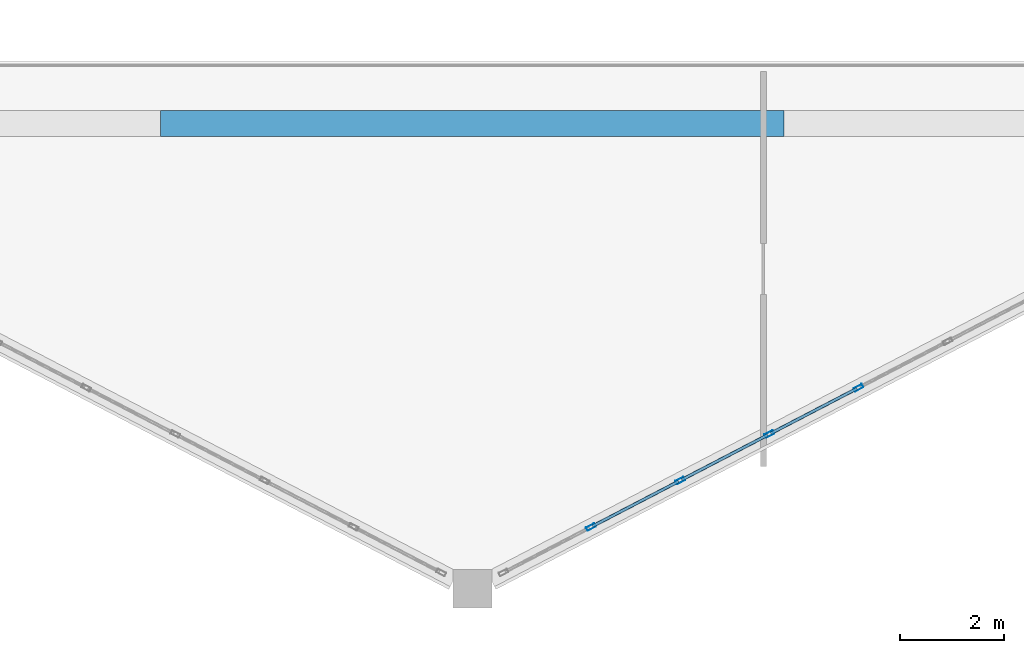
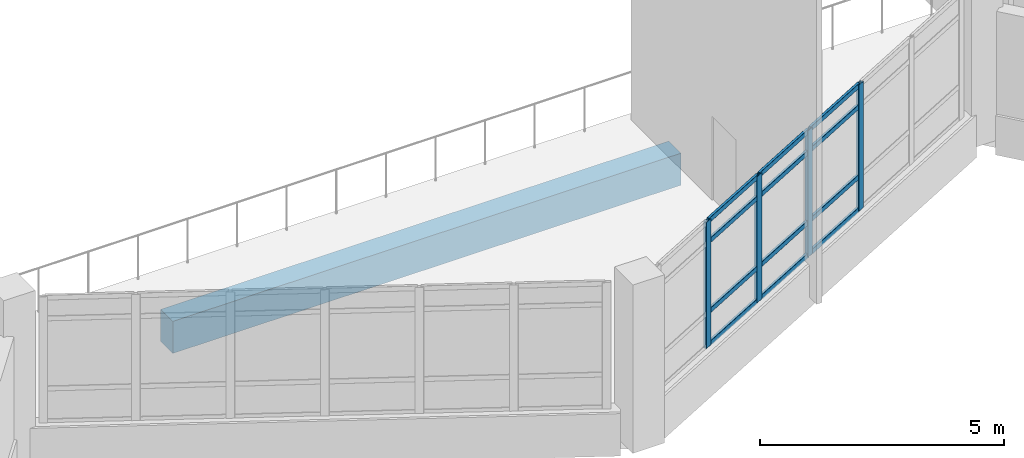
# One storey, part 15 of 128: 16 members, 1 beam, 1 element without a shape of its own.
"""IFC4 building model written with IfcOpenShell, lengths in metres."""

from ifc_helpers import new_model, si_unit, direction, frame, origin, origin_2d, place, context, subcontext, project, spatial, rectangle, hollow_rectangle, extrude, material, layer, layer_set, material_profile, profile_set, type_object, element, aggregate, save


model = new_model("IFC4")

# Units and contexts
model_context = context("Model", 3, precision=1e-05, world=origin(), true_north=direction((0.0, 1.0)))
body_context = subcontext(model_context, "Body", "Model", "MODEL_VIEW")
ifc_project = project(units=[si_unit("LENGTHUNIT", "METRE"), si_unit("AREAUNIT", "SQUARE_METRE"), si_unit("VOLUMEUNIT", "CUBIC_METRE"), si_unit("PLANEANGLEUNIT", "RADIAN"), si_unit("MASSUNIT", "GRAM", prefix="KILO")], contexts=[model_context])

# Site, building, storey
site_placement = place(None, origin())
site = spatial("IfcSite", under=ifc_project, at=site_placement, CompositionType="ELEMENT")
building_placement = place(site_placement, origin())
building = spatial("IfcBuilding", under=site, at=building_placement, Name="Vespera Passage Community Centre", CompositionType="ELEMENT")
storey_placement = place(building_placement, frame((0.0, 0.0, 4.5)))
storey = spatial("IfcBuildingStorey", under=building, at=storey_placement, Name="L01", CompositionType="ELEMENT", Elevation=4.5)

# Beam
ifc_material_1 = material(Name="Concrete f'c 35 MPa", Category="concrete")
ifc_material_profile_1 = material_profile(ifc_material_1, rectangle(XDim=0.5, YDim=0.800048828125, at=origin_2d()), Name="RC500X800")
ifc_profile_set_1 = profile_set([ifc_material_profile_1], Name="Concrete f'c 35 MPa")
beam_type = type_object("IfcBeamType", Name="BM-G-500X800", PredefinedType="BEAM", material=ifc_profile_set_1)
beam_placement = place(storey_placement, frame((12.0, 13.0, -0.639892578125), z_axis=(1.0, 0.0, 0.0), x_axis=(0.0, 1.0, 0.0)))
element("IfcBeam", 1, at=beam_placement, inside=storey, type_object=beam_type, Name="V1 L01 S Gallery Girder 2", PredefinedType="BEAM", context=body_context, shape_type="SweptSolid", body=[
    extrude(rectangle(XDim=0.5, YDim=0.800048828125, at=origin_2d()), origin(), (0.0, 0.0, 1.0), 12.0),
])

# Curtain wall, members
ifc_material_2 = material(Name="Anodized aluminium 6063-T6", Category="aluminium")
ifc_layer = layer(ifc_material_2, 0.159912109375)
ifc_layer_set = layer_set([ifc_layer], Name="Anodized aluminium 6063-T6")
curtain_wall_type = type_object("IfcCurtainWallType", Name="CW-85E", PredefinedType="NOTDEFINED", material=ifc_layer_set)
curtain_wall_placement = place(storey_placement, origin())
curtain_wall = element("IfcCurtainWall", 2, at=curtain_wall_placement, inside=storey, type_object=curtain_wall_type, Name="V1 L01 S Apse Ribbon Curtain Wall 2", PredefinedType="NOTDEFINED")
ifc_material_3 = material(Name="Anodized aluminium 6063-T6", Category="aluminium")
ifc_material_profile_2 = material_profile(ifc_material_3, hollow_rectangle(XDim=0.074951171875, YDim=0.179931640625, WallThickness=0.0048828125, InnerFilletRadius=0.00244140625, OuterFilletRadius=0.0048828125, at=origin_2d()), Name="ALU180X75X5")
ifc_profile_set_2 = profile_set([ifc_material_profile_2], Name="Anodized aluminium 6063-T6")
member_type_1 = type_object("IfcMemberType", Name="MB-CWM-180E", PredefinedType="MULLION", material=ifc_profile_set_2)
member_1_placement = place(storey_placement, frame((25.4296875, 7.91748046875, 0.800048828125), z_axis=(0.0, 0.0, 1.0), x_axis=(0.46174493668, -0.887012747062, 0.0)))
member_1 = element("IfcMember", 3, at=member_1_placement, type_object=member_type_1, Name="CW-85E mullion 3", PredefinedType="MULLION", context=body_context, shape_type="SweptSolid", body=[
    extrude(hollow_rectangle(XDim=0.074951171875, YDim=0.179931640625, WallThickness=0.0048828125, InnerFilletRadius=0.00244140625, OuterFilletRadius=0.0048828125, at=origin_2d()), origin(), (0.0, 0.0, 1.0), 3.14990234375),
])
member_2_placement = place(storey_placement, frame((23.713623046875, 7.0244140625, 0.800048828125), z_axis=(0.0, 0.0, 1.0), x_axis=(0.46174493668, -0.887012747062, 0.0)))
member_2 = element("IfcMember", 4, at=member_2_placement, type_object=member_type_1, Name="CW-85E mullion 4", PredefinedType="MULLION", context=body_context, shape_type="SweptSolid", body=[
    extrude(hollow_rectangle(XDim=0.074951171875, YDim=0.179931640625, WallThickness=0.0048828125, InnerFilletRadius=0.00244140625, OuterFilletRadius=0.0048828125, at=origin_2d()), origin(), (0.0, 0.0, 1.0), 3.14990234375),
])
member_3_placement = place(storey_placement, frame((21.99755859375, 6.131103515625, 0.800048828125), z_axis=(0.0, 0.0, 1.0), x_axis=(0.46174493668, -0.887012747062, 0.0)))
member_3 = element("IfcMember", 5, at=member_3_placement, type_object=member_type_1, Name="CW-85E mullion 5", PredefinedType="MULLION", context=body_context, shape_type="SweptSolid", body=[
    extrude(hollow_rectangle(XDim=0.074951171875, YDim=0.179931640625, WallThickness=0.0048828125, InnerFilletRadius=0.00244140625, OuterFilletRadius=0.0048828125, at=origin_2d()), origin(), (0.0, 0.0, 1.0), 3.14990234375),
])
member_4_placement = place(storey_placement, frame((20.28173828125, 5.23779296875, 0.800048828125), z_axis=(0.0, 0.0, 1.0), x_axis=(0.46174493668, -0.887012747062, 0.0)))
member_4 = element("IfcMember", 6, at=member_4_placement, type_object=member_type_1, Name="CW-85E mullion 6", PredefinedType="MULLION", context=body_context, shape_type="SweptSolid", body=[
    extrude(hollow_rectangle(XDim=0.074951171875, YDim=0.179931640625, WallThickness=0.0048828125, InnerFilletRadius=0.00244140625, OuterFilletRadius=0.0048828125, at=origin_2d()), origin(), (0.0, 0.0, 1.0), 3.14990234375),
])
ifc_material_4 = material(Name="Anodized aluminium 6063-T6", Category="aluminium")
ifc_material_profile_3 = material_profile(ifc_material_4, hollow_rectangle(XDim=0.06005859375, YDim=0.1201171875, WallThickness=0.00390625, InnerFilletRadius=0.001953125, OuterFilletRadius=0.00390625, at=origin_2d()), Name="ALU120X60X4")
ifc_profile_set_3 = profile_set([ifc_material_profile_3], Name="Anodized aluminium 6063-T6")
member_type_2 = type_object("IfcMemberType", Name="MB-CWT-120E", PredefinedType="USERDEFINED", material=ifc_profile_set_3)
member_5_placement = place(storey_placement, frame((25.396240234375, 7.900146484375, 0.830078125), z_axis=(-0.887008197889, -0.461753675544, 0.0), x_axis=(0.461753675544, -0.887008197889, 0.0)))
member_5 = element("IfcMember", 7, at=member_5_placement, type_object=member_type_2, Name="CW-85E transom 3.1", ObjectType="TRANSOM", PredefinedType="USERDEFINED", context=body_context, shape_type="SweptSolid", body=[
    extrude(hollow_rectangle(XDim=0.06005859375, YDim=0.1201171875, WallThickness=0.00390625, InnerFilletRadius=0.001953125, OuterFilletRadius=0.00390625, at=origin_2d()), origin(), (0.0, 0.0, 1.0), 1.859619140625),
])
member_6_placement = place(storey_placement, frame((25.396240234375, 7.900146484375, 1.64990234375), z_axis=(-0.887008197889, -0.461753675544, 0.0), x_axis=(0.461753675544, -0.887008197889, 0.0)))
member_6 = element("IfcMember", 8, at=member_6_placement, type_object=member_type_2, Name="CW-85E transom 3.2", ObjectType="TRANSOM", PredefinedType="USERDEFINED", context=body_context, shape_type="SweptSolid", body=[
    extrude(hollow_rectangle(XDim=0.06005859375, YDim=0.1201171875, WallThickness=0.00390625, InnerFilletRadius=0.001953125, OuterFilletRadius=0.00390625, at=origin_2d()), origin(), (0.0, 0.0, 1.0), 1.859619140625),
])
member_7_placement = place(storey_placement, frame((25.396240234375, 7.900146484375, 3.39990234375), z_axis=(-0.887008197889, -0.461753675544, 0.0), x_axis=(0.461753675544, -0.887008197889, 0.0)))
member_7 = element("IfcMember", 9, at=member_7_placement, type_object=member_type_2, Name="CW-85E transom 3.3", ObjectType="TRANSOM", PredefinedType="USERDEFINED", context=body_context, shape_type="SweptSolid", body=[
    extrude(hollow_rectangle(XDim=0.06005859375, YDim=0.1201171875, WallThickness=0.00390625, InnerFilletRadius=0.001953125, OuterFilletRadius=0.00390625, at=origin_2d()), origin(), (0.0, 0.0, 1.0), 1.859619140625),
])
member_8_placement = place(storey_placement, frame((25.396240234375, 7.900146484375, 3.919921875), z_axis=(-0.887008197889, -0.461753675544, 0.0), x_axis=(0.461753675544, -0.887008197889, 0.0)))
member_8 = element("IfcMember", 10, at=member_8_placement, type_object=member_type_2, Name="CW-85E transom 3.4", ObjectType="TRANSOM", PredefinedType="USERDEFINED", context=body_context, shape_type="SweptSolid", body=[
    extrude(hollow_rectangle(XDim=0.06005859375, YDim=0.1201171875, WallThickness=0.00390625, InnerFilletRadius=0.001953125, OuterFilletRadius=0.00390625, at=origin_2d()), origin(), (0.0, 0.0, 1.0), 1.859619140625),
])
member_9_placement = place(storey_placement, frame((23.680419921875, 7.007080078125, 0.830078125), z_axis=(-0.887008197889, -0.461753675544, 0.0), x_axis=(0.461753675544, -0.887008197889, 0.0)))
member_9 = element("IfcMember", 11, at=member_9_placement, type_object=member_type_2, Name="CW-85E transom 4.1", ObjectType="TRANSOM", PredefinedType="USERDEFINED", context=body_context, shape_type="SweptSolid", body=[
    extrude(hollow_rectangle(XDim=0.06005859375, YDim=0.1201171875, WallThickness=0.00390625, InnerFilletRadius=0.001953125, OuterFilletRadius=0.00390625, at=origin_2d()), origin(), (0.0, 0.0, 1.0), 1.859619140625),
])
member_10_placement = place(storey_placement, frame((23.680419921875, 7.007080078125, 1.64990234375), z_axis=(-0.887008197889, -0.461753675544, 0.0), x_axis=(0.461753675544, -0.887008197889, 0.0)))
member_10 = element("IfcMember", 12, at=member_10_placement, type_object=member_type_2, Name="CW-85E transom 4.2", ObjectType="TRANSOM", PredefinedType="USERDEFINED", context=body_context, shape_type="SweptSolid", body=[
    extrude(hollow_rectangle(XDim=0.06005859375, YDim=0.1201171875, WallThickness=0.00390625, InnerFilletRadius=0.001953125, OuterFilletRadius=0.00390625, at=origin_2d()), origin(), (0.0, 0.0, 1.0), 1.859619140625),
])
member_11_placement = place(storey_placement, frame((23.680419921875, 7.007080078125, 3.39990234375), z_axis=(-0.887008197889, -0.461753675544, 0.0), x_axis=(0.461753675544, -0.887008197889, 0.0)))
member_11 = element("IfcMember", 13, at=member_11_placement, type_object=member_type_2, Name="CW-85E transom 4.3", ObjectType="TRANSOM", PredefinedType="USERDEFINED", context=body_context, shape_type="SweptSolid", body=[
    extrude(hollow_rectangle(XDim=0.06005859375, YDim=0.1201171875, WallThickness=0.00390625, InnerFilletRadius=0.001953125, OuterFilletRadius=0.00390625, at=origin_2d()), origin(), (0.0, 0.0, 1.0), 1.859619140625),
])
member_12_placement = place(storey_placement, frame((23.680419921875, 7.007080078125, 3.919921875), z_axis=(-0.887008197889, -0.461753675544, 0.0), x_axis=(0.461753675544, -0.887008197889, 0.0)))
member_12 = element("IfcMember", 14, at=member_12_placement, type_object=member_type_2, Name="CW-85E transom 4.4", ObjectType="TRANSOM", PredefinedType="USERDEFINED", context=body_context, shape_type="SweptSolid", body=[
    extrude(hollow_rectangle(XDim=0.06005859375, YDim=0.1201171875, WallThickness=0.00390625, InnerFilletRadius=0.001953125, OuterFilletRadius=0.00390625, at=origin_2d()), origin(), (0.0, 0.0, 1.0), 1.859619140625),
])
member_13_placement = place(storey_placement, frame((21.96435546875, 6.11376953125, 0.830078125), z_axis=(-0.887008197889, -0.461753675544, 0.0), x_axis=(0.461753675544, -0.887008197889, 0.0)))
member_13 = element("IfcMember", 15, at=member_13_placement, type_object=member_type_2, Name="CW-85E transom 5.1", ObjectType="TRANSOM", PredefinedType="USERDEFINED", context=body_context, shape_type="SweptSolid", body=[
    extrude(hollow_rectangle(XDim=0.06005859375, YDim=0.1201171875, WallThickness=0.00390625, InnerFilletRadius=0.001953125, OuterFilletRadius=0.00390625, at=origin_2d()), origin(), (0.0, 0.0, 1.0), 1.859619140625),
])
member_14_placement = place(storey_placement, frame((21.96435546875, 6.11376953125, 1.64990234375), z_axis=(-0.887008197889, -0.461753675544, 0.0), x_axis=(0.461753675544, -0.887008197889, 0.0)))
member_14 = element("IfcMember", 16, at=member_14_placement, type_object=member_type_2, Name="CW-85E transom 5.2", ObjectType="TRANSOM", PredefinedType="USERDEFINED", context=body_context, shape_type="SweptSolid", body=[
    extrude(hollow_rectangle(XDim=0.06005859375, YDim=0.1201171875, WallThickness=0.00390625, InnerFilletRadius=0.001953125, OuterFilletRadius=0.00390625, at=origin_2d()), origin(), (0.0, 0.0, 1.0), 1.859619140625),
])
member_15_placement = place(storey_placement, frame((21.96435546875, 6.11376953125, 3.39990234375), z_axis=(-0.887008197889, -0.461753675544, 0.0), x_axis=(0.461753675544, -0.887008197889, 0.0)))
member_15 = element("IfcMember", 17, at=member_15_placement, type_object=member_type_2, Name="CW-85E transom 5.3", ObjectType="TRANSOM", PredefinedType="USERDEFINED", context=body_context, shape_type="SweptSolid", body=[
    extrude(hollow_rectangle(XDim=0.06005859375, YDim=0.1201171875, WallThickness=0.00390625, InnerFilletRadius=0.001953125, OuterFilletRadius=0.00390625, at=origin_2d()), origin(), (0.0, 0.0, 1.0), 1.859619140625),
])
member_16_placement = place(storey_placement, frame((21.96435546875, 6.11376953125, 3.919921875), z_axis=(-0.887008197889, -0.461753675544, 0.0), x_axis=(0.461753675544, -0.887008197889, 0.0)))
member_16 = element("IfcMember", 18, at=member_16_placement, type_object=member_type_2, Name="CW-85E transom 5.4", ObjectType="TRANSOM", PredefinedType="USERDEFINED", context=body_context, shape_type="SweptSolid", body=[
    extrude(hollow_rectangle(XDim=0.06005859375, YDim=0.1201171875, WallThickness=0.00390625, InnerFilletRadius=0.001953125, OuterFilletRadius=0.00390625, at=origin_2d()), origin(), (0.0, 0.0, 1.0), 1.859619140625),
])
aggregate(curtain_wall, [member_1, member_2, member_3, member_4, member_5, member_6, member_7, member_8, member_9, member_10, member_11, member_12, member_13, member_14, member_15, member_16])

save(model, "model.ifc")
